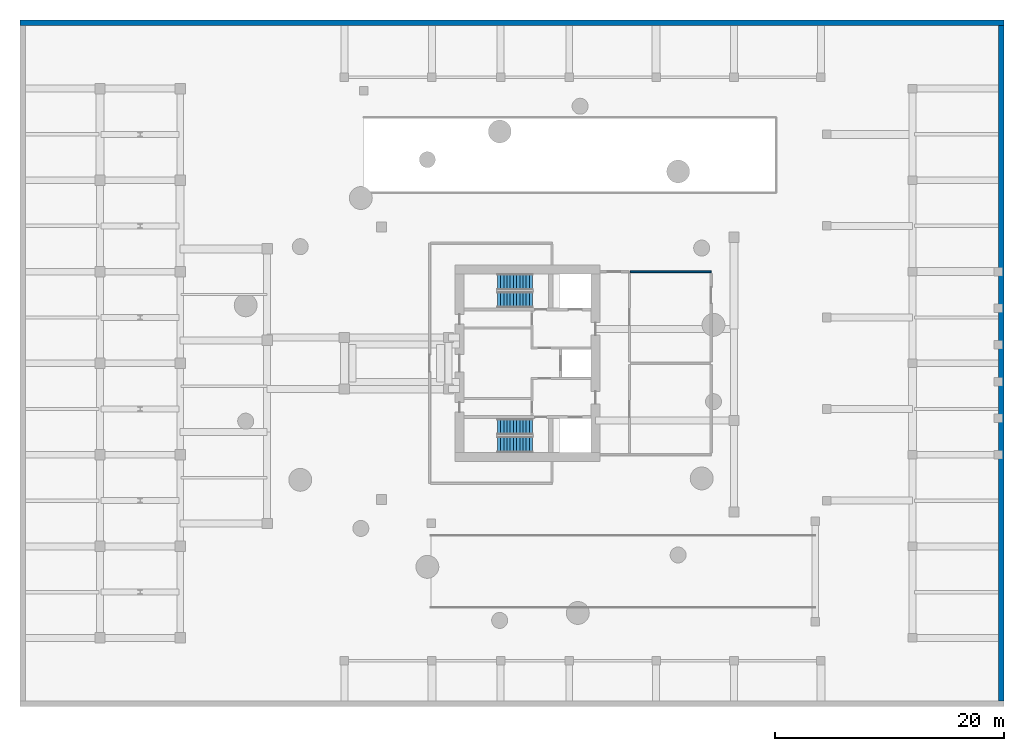
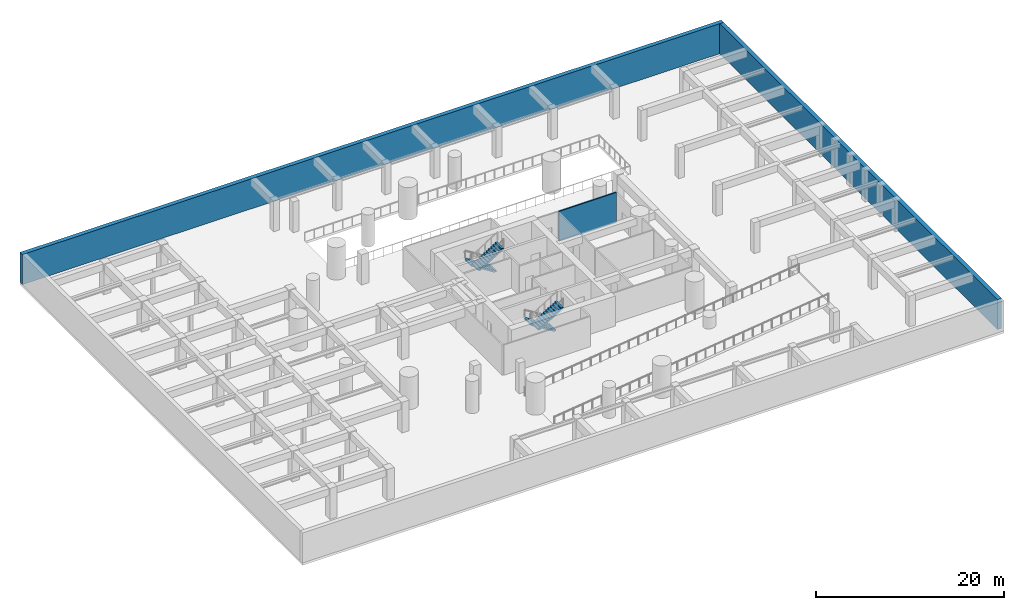
# One storey, part 7 of 10: 4 stair flights, 3 walls, 2 elements without a shape of their own.
"""IFC4 building model written with IfcOpenShell, lengths in metres."""

from ifc_helpers import new_model, si_unit, direction, frame, frame_2d, origin, place, context, subcontext, project, spatial, polyline, rectangle, outline, extrude, source, transform, mapped, material, layer, layer_set, type_object, element, aggregate, save


model = new_model("IFC4")

# Units and contexts
model_context = context("Model", 3, precision=1e-05, world=origin(), true_north=direction((0.0, 1.0)))
body_context = subcontext(model_context, "Body", "Model", "MODEL_VIEW")
ifc_project = project(units=[si_unit("LENGTHUNIT", "METRE"), si_unit("AREAUNIT", "SQUARE_METRE"), si_unit("VOLUMEUNIT", "CUBIC_METRE"), si_unit("PLANEANGLEUNIT", "RADIAN"), si_unit("MASSUNIT", "GRAM", prefix="KILO")], contexts=[model_context])

# Site, building, storey
site_placement = place(None, origin())
site = spatial("IfcSite", under=ifc_project, at=site_placement, CompositionType="ELEMENT")
building_placement = place(site_placement, origin())
building = spatial("IfcBuilding", under=site, at=building_placement, Name="Qafzar Sky-Pleat Residences", CompositionType="ELEMENT")
storey_placement = place(building_placement, frame((0.0, 0.0, -4.199951171875)))
storey = spatial("IfcBuildingStorey", under=building, at=storey_placement, Name="B01", CompositionType="ELEMENT", Elevation=-4.199951171875)

# Walls
ifc_material_1 = material(Name="Acoustic gypsum plasterboard partition", Category="gypsum")
ifc_layer_1 = layer(ifc_material_1, 0.159912109375)
ifc_layer_set_1 = layer_set([ifc_layer_1], Name="Acoustic gypsum plasterboard partition")
wall_type_1 = type_object("IfcWallType", Name="PART-COR-160", PredefinedType="PARTITIONING", material=ifc_layer_set_1)
wall_1_placement = place(storey_placement, frame((39.35009765625, 34.0, 0.0), z_axis=(0.0, 0.0, 1.0), x_axis=(1.0, 0.0, 0.0)))
element("IfcWall", 1, at=wall_1_placement, inside=storey, type_object=wall_type_1, Name="B01 Partition Wall PART-B01-PW-008", PredefinedType="PARTITIONING", context=body_context, shape_type="SweptSolid", body=[
    extrude(rectangle(XDim=7.0498046875, YDim=0.159912109375, at=frame_2d((3.52490234375, 0.0))), origin(), (0.0, 0.0, 1.0), 3.89990234375),
])
ifc_material_2 = material(Name="Concrete C60/75", Category="concrete")
ifc_layer_2 = layer(ifc_material_2, 0.5)
ifc_layer_set_2 = layer_set([ifc_layer_2], Name="Concrete C60/75")
wall_type_2 = type_object("IfcWallType", Name="WALL-RET-500", PredefinedType="SOLIDWALL", material=ifc_layer_set_2)
wall_2_placement = place(storey_placement, frame((72.0, 55.75, 0.0), z_axis=(0.0, 0.0, 1.0), x_axis=(-1.0, 0.0, 0.0)))
element("IfcWall", 2, at=wall_2_placement, inside=storey, type_object=wall_type_2, Name="B01 RET wall N", PredefinedType="SOLIDWALL", context=body_context, shape_type="SweptSolid", body=[
    extrude(rectangle(XDim=86.0, YDim=0.5, at=frame_2d((43.0, 0.0))), origin(), (0.0, 0.0, 1.0), 3.89990234375),
])
wall_3_placement = place(storey_placement, frame((71.75, -3.5, 0.0), z_axis=(0.0, 0.0, 1.0), x_axis=(0.0, 1.0, 0.0)))
element("IfcWall", 3, at=wall_3_placement, inside=storey, type_object=wall_type_2, Name="B01 RET wall E", PredefinedType="SOLIDWALL", context=body_context, shape_type="SweptSolid", body=[
    extrude(rectangle(XDim=59.0, YDim=0.5, at=frame_2d((29.5, 0.0))), origin(), (0.0, 0.0, 1.0), 3.89990234375),
])

# Stair, stair flights
ifc_material_3 = material(Name="Concrete C40/50", Category="concrete")
stair_type = type_object("IfcStairType", Name="STAIR-H420", PredefinedType="HALF_TURN_STAIR", material=ifc_material_3)
stair_1_placement = place(storey_placement, origin())
stair_1 = element("IfcStair", 4, at=stair_1_placement, inside=storey, type_object=stair_type, Name="B01 Protected Exit Stair ST1", PredefinedType="HALF_TURN_STAIR")
stair_flight_type = type_object("IfcStairFlightType", Name="FLIGHT-H420", PredefinedType="STRAIGHT", material=ifc_material_3)
shared_shape = source(origin(), body_context, "Body", "SweptSolid", [
    extrude(outline(polyline([(0.0, 0.0), (0.0, 0.175048828125), (0.280029296875, 0.175048828125), (0.280029296875, 0.35009765625), (0.56005859375, 0.35009765625), (0.56005859375, 0.52490234375), (0.840087890625, 0.52490234375), (0.840087890625, 0.699951171875), (1.1201171875, 0.699951171875), (1.1201171875, 0.875), (1.39990234375, 0.875), (1.39990234375, 1.050048828125), (1.679931640625, 1.050048828125), (1.679931640625, 1.22509765625), (1.9599609375, 1.22509765625), (1.9599609375, 1.39990234375), (2.239990234375, 1.39990234375), (2.239990234375, 1.574951171875), (2.52001953125, 1.574951171875), (2.52001953125, 1.75), (2.800048828125, 1.75), (2.800048828125, 1.925048828125), (3.080078125, 1.925048828125), (3.080078125, 2.10009765625), (3.080078125, 1.748291015625), (0.28271484375, 0.0), (0.0, 0.0)])), frame((0.0, 0.699951171875, 0.0), z_axis=(0.0, -1.0, 0.0), x_axis=(1.0, 0.0, 0.0)), (0.0, 0.0, 1.0), 1.39990234375),
])
stair_flight_1_placement = place(storey_placement, frame((30.800048828125, 20.449951171875, 0.0), z_axis=(0.0, 0.0, 1.0), x_axis=(-1.0, 0.0, 0.0)))
stair_flight_1 = element("IfcStairFlight", 5, at=stair_flight_1_placement, type_object=stair_flight_type, Name="ST1 flight 1", NumberOfRisers=12, NumberOfTreads=11, PredefinedType="STRAIGHT", RiserHeight=0.175, TreadLength=0.28, context=body_context, shape_type="MappedRepresentation", body=[
    mapped(shared_shape, transform((0.0, 0.0, 0.0), x_axis=(1.0, 0.0, 0.0), y_axis=(0.0, 1.0, 0.0), z_axis=(0.0, 0.0, 1.0), scale=1.0)),
])
stair_flight_2_placement = place(storey_placement, frame((27.719970703125, 18.89990234375, 2.099853515625), z_axis=(0.0, 0.0, 1.0), x_axis=(1.0, 0.0, 0.0)))
stair_flight_2 = element("IfcStairFlight", 6, at=stair_flight_2_placement, type_object=stair_flight_type, Name="ST1 flight 2", NumberOfRisers=12, NumberOfTreads=11, PredefinedType="STRAIGHT", RiserHeight=0.175, TreadLength=0.28, context=body_context, shape_type="MappedRepresentation", body=[
    mapped(shared_shape, transform((0.0, 0.0, 0.0), x_axis=(1.0, 0.0, 0.0), y_axis=(0.0, 1.0, 0.0), z_axis=(0.0, 0.0, 1.0), scale=1.0)),
])
aggregate(stair_1, [stair_flight_1, stair_flight_2])

stair_2_placement = place(storey_placement, origin())
stair_2 = element("IfcStair", 7, at=stair_2_placement, inside=storey, type_object=stair_type, Name="B01 Protected Exit Stair ST2", PredefinedType="HALF_TURN_STAIR")
stair_flight_3_placement = place(storey_placement, frame((30.800048828125, 33.10009765625, 0.0), z_axis=(0.0, 0.0, 1.0), x_axis=(-1.0, 0.0, 0.0)))
stair_flight_3 = element("IfcStairFlight", 8, at=stair_flight_3_placement, type_object=stair_flight_type, Name="ST2 flight 1", NumberOfRisers=12, NumberOfTreads=11, PredefinedType="STRAIGHT", RiserHeight=0.175, TreadLength=0.28, context=body_context, shape_type="MappedRepresentation", body=[
    mapped(shared_shape, transform((0.0, 0.0, 0.0), x_axis=(1.0, 0.0, 0.0), y_axis=(0.0, 1.0, 0.0), z_axis=(0.0, 0.0, 1.0), scale=1.0)),
])
stair_flight_4_placement = place(storey_placement, frame((27.719970703125, 31.550048828125, 2.099853515625), z_axis=(0.0, 0.0, 1.0), x_axis=(1.0, 0.0, 0.0)))
stair_flight_4 = element("IfcStairFlight", 9, at=stair_flight_4_placement, type_object=stair_flight_type, Name="ST2 flight 2", NumberOfRisers=12, NumberOfTreads=11, PredefinedType="STRAIGHT", RiserHeight=0.175, TreadLength=0.28, context=body_context, shape_type="MappedRepresentation", body=[
    mapped(shared_shape, transform((0.0, 0.0, 0.0), x_axis=(1.0, 0.0, 0.0), y_axis=(0.0, 1.0, 0.0), z_axis=(0.0, 0.0, 1.0), scale=1.0)),
])
aggregate(stair_2, [stair_flight_3, stair_flight_4])

save(model, "model.ifc")
